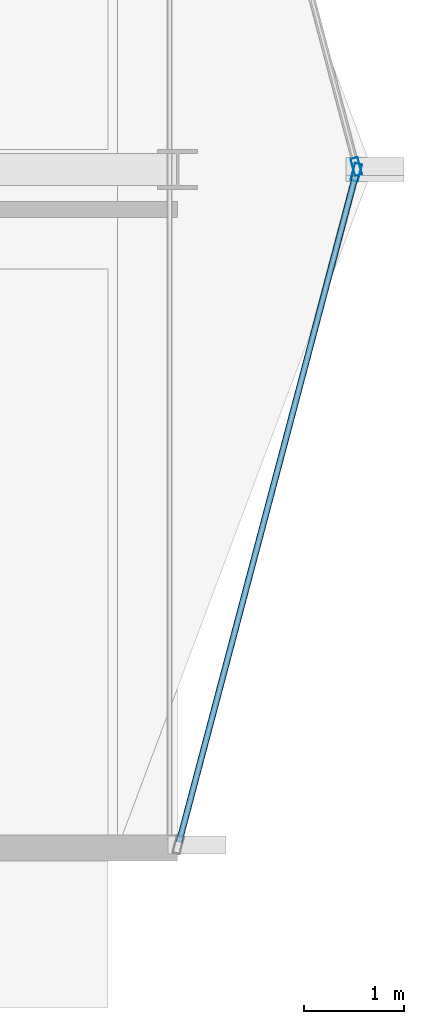
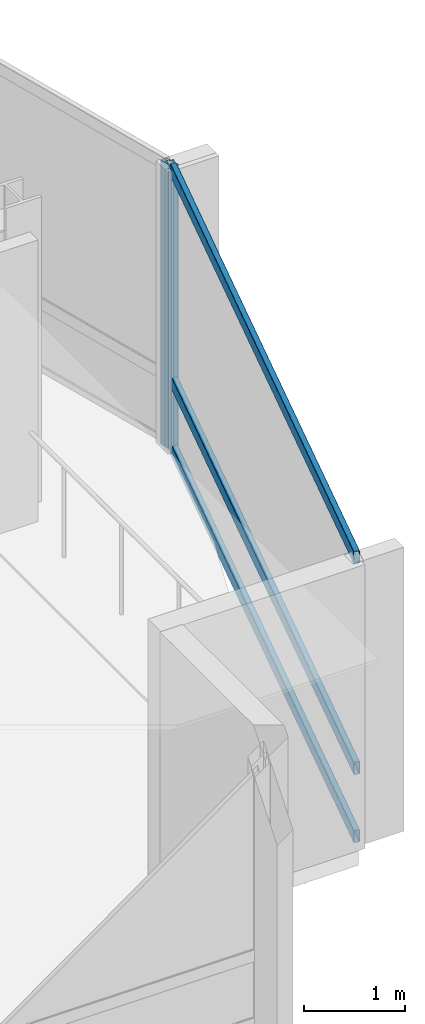
# One storey, part 11 of 27: 5 members, 2 elements without a shape of their own.
"""IFC4 building model written with IfcOpenShell, lengths in metres."""

import ifcopenshell
import ifcopenshell.guid

model = None  # the IFC model being written
_history = None  # IfcOwnerHistory: only IFC2X3 demands one
_inside = {}  # id of a spatial element -> (the spatial element, [elements in it])
_under = {}  # id of a project, library or spatial element -> (it, [spatial elements below it])
_declared = {}  # id of a project -> (the project, [libraries it declares])
_typed = {}  # id of a type object -> (the type object, [elements of that type])
_made_of = {}  # id of a material, layer set ... -> (it, [elements and type objects made of it])


def new_model(schema):
    """Start an empty IFC model of exactly this schema.

    Asked for "IFC4X3", IfcOpenShell would pick the latest addendum, in which some entities
    have other attributes; the version numbers below select the first issue.
    IFC2X3 requires an IfcOwnerHistory on every rooted entity: one is made here for all.
    """
    global model, _history
    if schema == "IFC4X3":
        model = ifcopenshell.file(schema_version=(4, 3, 0, 0))
    else:
        model = ifcopenshell.file(schema=schema)
    _inside.clear()
    _under.clear()
    _declared.clear()
    _typed.clear()
    _made_of.clear()
    _history = None
    if model.schema == "IFC2X3":
        org = make("IfcOrganization", Name="unknown")
        user = make(
            "IfcPersonAndOrganization",
            ThePerson=make("IfcPerson", FamilyName="unknown"),
            TheOrganization=org,
        )
        app = make(
            "IfcApplication",
            ApplicationDeveloper=org,
            Version="unknown",
            ApplicationFullName="unknown",
            ApplicationIdentifier="unknown",
        )
        _history = make(
            "IfcOwnerHistory",
            OwningUser=user,
            OwningApplication=app,
            ChangeAction="ADDED",
            CreationDate=0,
        )
    return model


def make(cls, **values):
    """One entity of the class cls with the attributes given. An attribute that is None is left unset."""
    return model.create_entity(
        cls, **{name: value for name, value in values.items() if value is not None}
    )


def rooted(cls, **values):
    """An entity with a GlobalId (a new one), such as an element, a storey or a relation."""
    return make(cls, GlobalId=ifcopenshell.guid.new(), OwnerHistory=_history, **values)


def si_unit(unit_type, name, prefix=None):
    """IfcSIUnit, for example si_unit("LENGTHUNIT", "METRE", prefix="MILLI")."""
    return make("IfcSIUnit", UnitType=unit_type, Prefix=prefix, Name=name)


def assignment(units):
    """IfcUnitAssignment: the units of a project."""
    return None if units is None else make("IfcUnitAssignment", Units=units)


def point(xyz):
    """IfcCartesianPoint."""
    return None if xyz is None else make("IfcCartesianPoint", Coordinates=xyz)


def direction(xyz):
    """IfcDirection."""
    return None if xyz is None else make("IfcDirection", DirectionRatios=xyz)


def frame(location, z_axis=None, x_axis=None):
    """IfcAxis2Placement3D, a coordinate frame: its origin and axes. An axis left out is left unset."""
    return make(
        "IfcAxis2Placement3D",
        Location=point(location),
        Axis=direction(z_axis),
        RefDirection=direction(x_axis),
    )


def frame_2d(location, x_axis=None):
    """IfcAxis2Placement2D, a coordinate frame in the plane: its origin and x axis."""
    return make(
        "IfcAxis2Placement2D", Location=point(location), RefDirection=direction(x_axis)
    )


def origin():
    """The frame at (0, 0, 0) with its axes left unset."""
    return frame((0.0, 0.0, 0.0))


def origin_2d():
    """The frame at (0, 0) in the plane with its x axis left unset."""
    return frame_2d((0.0, 0.0))


def place(relative_to, where):
    """IfcLocalPlacement: puts the frame where relative to a parent placement (None: the world)."""
    return make(
        "IfcLocalPlacement", PlacementRelTo=relative_to, RelativePlacement=where
    )


def context(
    kind, dimensions, precision=None, world=None, true_north=None, identifier=None
):
    """IfcGeometricRepresentationContext, for example the 3D "Model" context."""
    return make(
        "IfcGeometricRepresentationContext",
        ContextIdentifier=identifier,
        ContextType=kind,
        CoordinateSpaceDimension=dimensions,
        Precision=precision,
        WorldCoordinateSystem=world,
        TrueNorth=true_north,
    )


def subcontext(parent, identifier, kind, view, scale=None):
    """IfcGeometricRepresentationSubContext, for example "Body" below "Model"."""
    return make(
        "IfcGeometricRepresentationSubContext",
        ContextIdentifier=identifier,
        ContextType=kind,
        ParentContext=parent,
        TargetScale=scale,
        TargetView=view,
    )


def project(units=None, contexts=None):
    """IfcProject with its units and contexts."""
    return rooted(
        "IfcProject",
        Name="project",
        RepresentationContexts=contexts,
        UnitsInContext=assignment(units),
    )


def spatial(cls, under=None, at=None, **own):
    """A site, building, storey or space (cls), placed at a placement, below another one or the project."""
    s = rooted(cls, ObjectPlacement=at, **own)
    if under is not None:
        _under.setdefault(under.id(), (under, []))[1].append(s)
    return s


def profile(cls, at=None, kind="AREA", **sizes):
    """A parametric profile (cls). Its sizes go by their IFC names, for example OverallWidth=200.0."""
    return make(cls, ProfileType=kind, Position=at, **sizes)


def hollow_rectangle(**sizes):
    """IfcRectangleHollowProfileDef."""
    return profile("IfcRectangleHollowProfileDef", **sizes)


def extrude(swept, where, along, depth):
    """IfcExtrudedAreaSolid: the profile swept, set in the frame where, extruded along a direction by depth."""
    return make(
        "IfcExtrudedAreaSolid",
        SweptArea=swept,
        Position=where,
        ExtrudedDirection=direction(along),
        Depth=depth,
    )


def shape(context_of_items, identifier, shape_type, items):
    """IfcShapeRepresentation: the items that make up one representation, for example the "Body"."""
    return make(
        "IfcShapeRepresentation",
        ContextOfItems=context_of_items,
        RepresentationIdentifier=identifier,
        RepresentationType=shape_type,
        Items=items,
    )


def material(Name=None, Category=None):
    """IfcMaterial."""
    return make("IfcMaterial", Name=Name, Category=Category)


def layer(
    of_material, thickness, ventilated=None, Name=None, Category=None, Priority=None
):
    """IfcMaterialLayer: one layer of a wall or slab, of a material (None: an air gap)."""
    return make(
        "IfcMaterialLayer",
        Material=of_material,
        LayerThickness=thickness,
        IsVentilated=ventilated,
        Name=Name,
        Category=Category,
        Priority=Priority,
    )


def layer_set(layers, Name=None):
    """IfcMaterialLayerSet."""
    return make("IfcMaterialLayerSet", MaterialLayers=layers, LayerSetName=Name)


def material_profile(
    of_material, cross_section, Name=None, Category=None, Priority=None
):
    """IfcMaterialProfile: a cross section and its material."""
    return make(
        "IfcMaterialProfile",
        Name=Name,
        Material=of_material,
        Profile=cross_section,
        Priority=Priority,
        Category=Category,
    )


def profile_set(profiles, Name=None, composite=None):
    """IfcMaterialProfileSet."""
    return make(
        "IfcMaterialProfileSet",
        Name=Name,
        MaterialProfiles=profiles,
        CompositeProfile=composite,
    )


def made_of(thing, what):
    """Note that an element or type object is made of a material, layer set ...; save() writes the relation."""
    if what is not None:
        _made_of.setdefault(what.id(), (what, []))[1].append(thing)
    return thing


def type_object(cls, material=None, **own):
    """A type object (cls), such as IfcWallType, which elements share."""
    return made_of(rooted(cls, **own), material)


def element(
    cls,
    number,
    at=None,
    inside=None,
    cuts=None,
    type_object=None,
    material=None,
    context=None,
    identifier="Body",
    shape_type=None,
    held_by="IfcProductDefinitionShape",
    body=None,
    shapes=None,
    **own,
):
    """One element of the class cls, such as IfcWall. Its Tag is "e" and its number.

    at: its placement. inside: the storey or other place that contains it. cuts: it is an
    opening in that element (IfcRelVoidsElement). A single representation is given by context,
    identifier, shape_type and body (its items); several are given by shapes. held_by: the class
    of the entity that holds the representations. save() writes the other relations.
    """
    e = rooted(cls, Tag="e%d" % number, ObjectPlacement=at, **own)
    if body is not None:
        shapes = [shape(context, identifier, shape_type, body)]
    if shapes is not None:
        e.Representation = make(held_by, Representations=shapes)
    if inside is not None:
        _inside.setdefault(inside.id(), (inside, []))[1].append(e)
    if cuts is not None:
        rooted(
            "IfcRelVoidsElement", RelatingBuildingElement=cuts, RelatedOpeningElement=e
        )
    if type_object is not None:
        _typed.setdefault(type_object.id(), (type_object, []))[1].append(e)
    return made_of(e, material)


def aggregate(whole, parts):
    """IfcRelAggregates: a whole, such as a stair, and the parts it consists of."""
    return rooted("IfcRelAggregates", RelatingObject=whole, RelatedObjects=parts)


def save(model, path):
    """Write the relations noted so far, then the file.

    IfcRelAggregates (storeys below a building ...), IfcRelContainedInSpatialStructure (elements
    in a storey), IfcRelDefinesByType, IfcRelAssociatesMaterial and IfcRelDeclares: one each for
    every whole, place, type object, material and project.
    """
    for whole, parts in _under.values():
        aggregate(whole, parts)
    for where, things in _inside.values():
        rooted(
            "IfcRelContainedInSpatialStructure",
            RelatedElements=things,
            RelatingStructure=where,
        )
    for kind, things in _typed.values():
        rooted("IfcRelDefinesByType", RelatedObjects=things, RelatingType=kind)
    for what, things in _made_of.values():
        rooted("IfcRelAssociatesMaterial", RelatedObjects=things, RelatingMaterial=what)
    for by, libraries in _declared.values():
        rooted("IfcRelDeclares", RelatingContext=by, RelatedDefinitions=libraries)
    model.write(path)


model = new_model("IFC4")

# Units and contexts
model_context = context("Model", 3, precision=1e-05, world=origin(), true_north=direction((0.0, 1.0)))
body_context = subcontext(model_context, "Body", "Model", "MODEL_VIEW")
ifc_project = project(units=[si_unit("LENGTHUNIT", "METRE"), si_unit("AREAUNIT", "SQUARE_METRE"), si_unit("VOLUMEUNIT", "CUBIC_METRE"), si_unit("PLANEANGLEUNIT", "RADIAN"), si_unit("MASSUNIT", "GRAM", prefix="KILO")], contexts=[model_context])

# Site, building, storey
site_placement = place(None, origin())
site = spatial("IfcSite", under=ifc_project, at=site_placement, CompositionType="ELEMENT")
building_placement = place(site_placement, origin())
building = spatial("IfcBuilding", under=site, at=building_placement, Name="Solvaryn Broadcast Tower", CompositionType="ELEMENT")
storey_placement = place(building_placement, frame((0.0, 0.0, 221.0)))
storey = spatial("IfcBuildingStorey", under=building, at=storey_placement, Name="L55", CompositionType="ELEMENT", Elevation=221.0)

# Curtain wall, member
ifc_material_1 = material(Name="Aluminium and Terracotta Unitised Curtain Wall", Category="masonry")
ifc_layer = layer(ifc_material_1, 0.199951171875)
ifc_layer_set = layer_set([ifc_layer], Name="CW-SYS2-LOWMID")
curtain_wall_type = type_object("IfcCurtainWallType", Name="CW-SYS2-LOWMID", PredefinedType="NOTDEFINED", material=ifc_layer_set)
curtain_wall_1_placement = place(storey_placement, origin())
curtain_wall_1 = element("IfcCurtainWall", 1, at=curtain_wall_1_placement, inside=storey, type_object=curtain_wall_type, Name="L55 Curtain Wall ET1", PredefinedType="NOTDEFINED")
ifc_material_2 = material(Name="Anodised Aluminium 6063-T6", Category="aluminium")
ifc_material_profile_1 = material_profile(ifc_material_2, hollow_rectangle(XDim=0.074951171875, YDim=0.179931640625, WallThickness=0.00390625, InnerFilletRadius=0.00390625, OuterFilletRadius=0.008056640625, at=origin_2d()))
ifc_profile_set_1 = profile_set([ifc_material_profile_1], Name="Anodised Aluminium 6063-T6")
member_type_1 = type_object("IfcMemberType", Name="CW-MUL-180", PredefinedType="MULLION", material=ifc_profile_set_1)
member_1_placement = place(storey_placement, frame((55.792236328125, 18.029052734375, 0.0), z_axis=(0.0, 0.0, 1.0), x_axis=(0.966705227863, 0.25589256031, 0.0)))
member_1 = element("IfcMember", 2, at=member_1_placement, type_object=member_type_1, Name="CWS2 mullion 2", PredefinedType="MULLION", context=body_context, shape_type="SweptSolid", body=[
    extrude(hollow_rectangle(XDim=0.074951171875, YDim=0.179931640625, WallThickness=0.00390625, InnerFilletRadius=0.00390625, OuterFilletRadius=0.008056640625, at=origin_2d()), origin(), (0.0, 0.0, 1.0), 3.419921875),
])
aggregate(curtain_wall_1, [member_1])

# Curtain wall, members
curtain_wall_2_placement = place(storey_placement, origin())
curtain_wall_2 = element("IfcCurtainWall", 3, at=curtain_wall_2_placement, inside=storey, type_object=curtain_wall_type, Name="L55 Curtain Wall ET2", PredefinedType="NOTDEFINED")
member_2_placement = place(storey_placement, frame((55.792236328125, 17.970947265625, 0.0), z_axis=(0.0, 0.0, 1.0), x_axis=(0.966705227863, -0.25589256031, 0.0)))
member_2 = element("IfcMember", 4, at=member_2_placement, type_object=member_type_1, Name="CWS2 mullion 1", PredefinedType="MULLION", context=body_context, shape_type="SweptSolid", body=[
    extrude(hollow_rectangle(XDim=0.074951171875, YDim=0.179931640625, WallThickness=0.00390625, InnerFilletRadius=0.00390625, OuterFilletRadius=0.008056640625, at=origin_2d()), origin(), (0.0, 0.0, 1.0), 3.419921875),
])
ifc_material_3 = material(Name="Anodised Aluminium 6063-T6", Category="aluminium")
ifc_material_profile_2 = material_profile(ifc_material_3, hollow_rectangle(XDim=0.06494140625, YDim=0.14990234375, WallThickness=0.00390625, InnerFilletRadius=0.00390625, OuterFilletRadius=0.008056640625, at=origin_2d()))
ifc_profile_set_2 = profile_set([ifc_material_profile_2], Name="Anodised Aluminium 6063-T6")
member_type_2 = type_object("IfcMemberType", Name="CW-TRN-150", PredefinedType="USERDEFINED", material=ifc_profile_set_2)
member_3_placement = place(storey_placement, frame((55.78466796875, 17.94189453125, 0.030029296875), z_axis=(-0.255897413051, -0.966703943301, 0.0), x_axis=(0.966703943301, -0.255897413051, 0.0)))
member_3 = element("IfcMember", 5, at=member_3_placement, type_object=member_type_2, Name="CWS2 transom 1.1", ObjectType="TRANSOM", PredefinedType="USERDEFINED", context=body_context, shape_type="SweptSolid", body=[
    extrude(hollow_rectangle(XDim=0.06494140625, YDim=0.14990234375, WallThickness=0.00390625, InnerFilletRadius=0.00390625, OuterFilletRadius=0.008056640625, at=origin_2d()), origin(), (0.0, 0.0, 1.0), 6.9140625),
])
member_4_placement = place(storey_placement, frame((55.78466796875, 17.94189453125, 0.85009765625), z_axis=(-0.255897413051, -0.966703943301, 0.0), x_axis=(0.966703943301, -0.255897413051, 0.0)))
member_4 = element("IfcMember", 6, at=member_4_placement, type_object=member_type_2, Name="CWS2 transom 1.2", ObjectType="TRANSOM", PredefinedType="USERDEFINED", context=body_context, shape_type="SweptSolid", body=[
    extrude(hollow_rectangle(XDim=0.06494140625, YDim=0.14990234375, WallThickness=0.00390625, InnerFilletRadius=0.00390625, OuterFilletRadius=0.008056640625, at=origin_2d()), origin(), (0.0, 0.0, 1.0), 6.9140625),
])
member_5_placement = place(storey_placement, frame((55.78466796875, 17.94189453125, 3.389892578125), z_axis=(-0.255897413051, -0.966703943301, 0.0), x_axis=(0.966703943301, -0.255897413051, 0.0)))
member_5 = element("IfcMember", 7, at=member_5_placement, type_object=member_type_2, Name="CWS2 transom 1.3", ObjectType="TRANSOM", PredefinedType="USERDEFINED", context=body_context, shape_type="SweptSolid", body=[
    extrude(hollow_rectangle(XDim=0.06494140625, YDim=0.14990234375, WallThickness=0.00390625, InnerFilletRadius=0.00390625, OuterFilletRadius=0.008056640625, at=origin_2d()), origin(), (0.0, 0.0, 1.0), 6.9140625),
])
aggregate(curtain_wall_2, [member_2, member_3, member_4, member_5])

save(model, "model.ifc")
